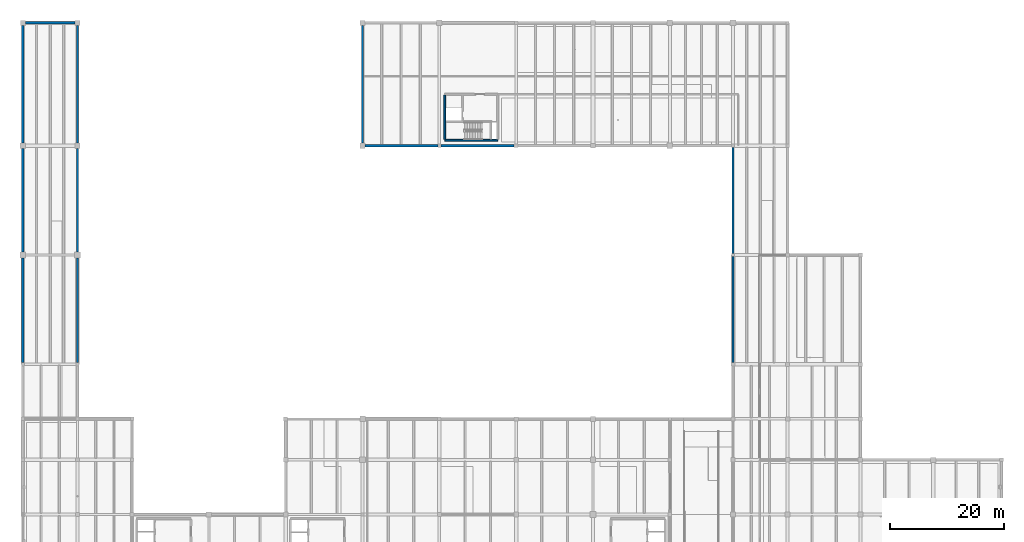
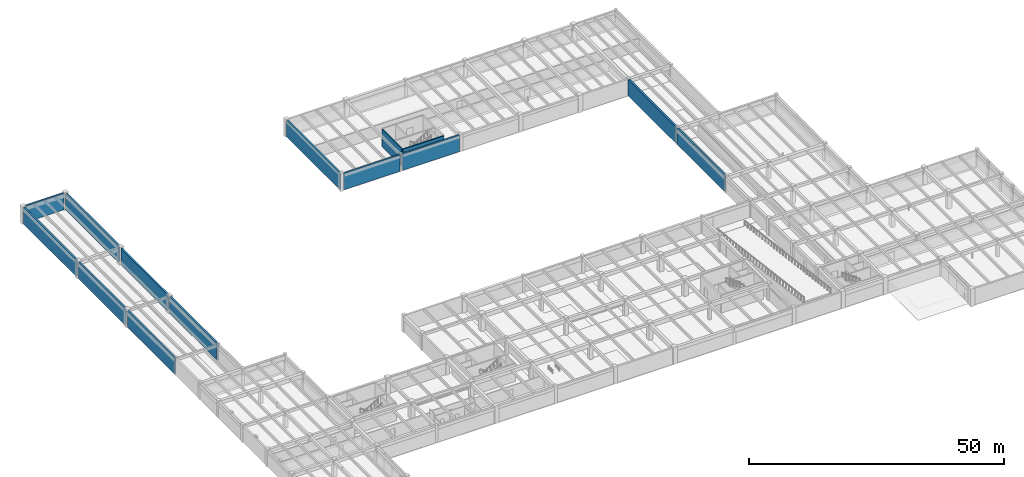
# One storey, part 12 of 28: 14 walls.
"""IFC4 building model written with IfcOpenShell, lengths in metres."""

import ifcopenshell
import ifcopenshell.guid

model = None  # the IFC model being written
_history = None  # IfcOwnerHistory: only IFC2X3 demands one
_inside = {}  # id of a spatial element -> (the spatial element, [elements in it])
_under = {}  # id of a project, library or spatial element -> (it, [spatial elements below it])
_declared = {}  # id of a project -> (the project, [libraries it declares])
_typed = {}  # id of a type object -> (the type object, [elements of that type])
_made_of = {}  # id of a material, layer set ... -> (it, [elements and type objects made of it])


def new_model(schema):
    """Start an empty IFC model of exactly this schema.

    Asked for "IFC4X3", IfcOpenShell would pick the latest addendum, in which some entities
    have other attributes; the version numbers below select the first issue.
    IFC2X3 requires an IfcOwnerHistory on every rooted entity: one is made here for all.
    """
    global model, _history
    if schema == "IFC4X3":
        model = ifcopenshell.file(schema_version=(4, 3, 0, 0))
    else:
        model = ifcopenshell.file(schema=schema)
    _inside.clear()
    _under.clear()
    _declared.clear()
    _typed.clear()
    _made_of.clear()
    _history = None
    if model.schema == "IFC2X3":
        org = make("IfcOrganization", Name="unknown")
        user = make(
            "IfcPersonAndOrganization",
            ThePerson=make("IfcPerson", FamilyName="unknown"),
            TheOrganization=org,
        )
        app = make(
            "IfcApplication",
            ApplicationDeveloper=org,
            Version="unknown",
            ApplicationFullName="unknown",
            ApplicationIdentifier="unknown",
        )
        _history = make(
            "IfcOwnerHistory",
            OwningUser=user,
            OwningApplication=app,
            ChangeAction="ADDED",
            CreationDate=0,
        )
    return model


def make(cls, **values):
    """One entity of the class cls with the attributes given. An attribute that is None is left unset."""
    return model.create_entity(
        cls, **{name: value for name, value in values.items() if value is not None}
    )


def rooted(cls, **values):
    """An entity with a GlobalId (a new one), such as an element, a storey or a relation."""
    return make(cls, GlobalId=ifcopenshell.guid.new(), OwnerHistory=_history, **values)


def si_unit(unit_type, name, prefix=None):
    """IfcSIUnit, for example si_unit("LENGTHUNIT", "METRE", prefix="MILLI")."""
    return make("IfcSIUnit", UnitType=unit_type, Prefix=prefix, Name=name)


def assignment(units):
    """IfcUnitAssignment: the units of a project."""
    return None if units is None else make("IfcUnitAssignment", Units=units)


def point(xyz):
    """IfcCartesianPoint."""
    return None if xyz is None else make("IfcCartesianPoint", Coordinates=xyz)


def direction(xyz):
    """IfcDirection."""
    return None if xyz is None else make("IfcDirection", DirectionRatios=xyz)


def frame(location, z_axis=None, x_axis=None):
    """IfcAxis2Placement3D, a coordinate frame: its origin and axes. An axis left out is left unset."""
    return make(
        "IfcAxis2Placement3D",
        Location=point(location),
        Axis=direction(z_axis),
        RefDirection=direction(x_axis),
    )


def frame_2d(location, x_axis=None):
    """IfcAxis2Placement2D, a coordinate frame in the plane: its origin and x axis."""
    return make(
        "IfcAxis2Placement2D", Location=point(location), RefDirection=direction(x_axis)
    )


def origin():
    """The frame at (0, 0, 0) with its axes left unset."""
    return frame((0.0, 0.0, 0.0))


def place(relative_to, where):
    """IfcLocalPlacement: puts the frame where relative to a parent placement (None: the world)."""
    return make(
        "IfcLocalPlacement", PlacementRelTo=relative_to, RelativePlacement=where
    )


def context(
    kind, dimensions, precision=None, world=None, true_north=None, identifier=None
):
    """IfcGeometricRepresentationContext, for example the 3D "Model" context."""
    return make(
        "IfcGeometricRepresentationContext",
        ContextIdentifier=identifier,
        ContextType=kind,
        CoordinateSpaceDimension=dimensions,
        Precision=precision,
        WorldCoordinateSystem=world,
        TrueNorth=true_north,
    )


def subcontext(parent, identifier, kind, view, scale=None):
    """IfcGeometricRepresentationSubContext, for example "Body" below "Model"."""
    return make(
        "IfcGeometricRepresentationSubContext",
        ContextIdentifier=identifier,
        ContextType=kind,
        ParentContext=parent,
        TargetScale=scale,
        TargetView=view,
    )


def project(units=None, contexts=None):
    """IfcProject with its units and contexts."""
    return rooted(
        "IfcProject",
        Name="project",
        RepresentationContexts=contexts,
        UnitsInContext=assignment(units),
    )


def spatial(cls, under=None, at=None, **own):
    """A site, building, storey or space (cls), placed at a placement, below another one or the project."""
    s = rooted(cls, ObjectPlacement=at, **own)
    if under is not None:
        _under.setdefault(under.id(), (under, []))[1].append(s)
    return s


def profile(cls, at=None, kind="AREA", **sizes):
    """A parametric profile (cls). Its sizes go by their IFC names, for example OverallWidth=200.0."""
    return make(cls, ProfileType=kind, Position=at, **sizes)


def rectangle(**sizes):
    """IfcRectangleProfileDef."""
    return profile("IfcRectangleProfileDef", **sizes)


def extrude(swept, where, along, depth):
    """IfcExtrudedAreaSolid: the profile swept, set in the frame where, extruded along a direction by depth."""
    return make(
        "IfcExtrudedAreaSolid",
        SweptArea=swept,
        Position=where,
        ExtrudedDirection=direction(along),
        Depth=depth,
    )


def shape(context_of_items, identifier, shape_type, items):
    """IfcShapeRepresentation: the items that make up one representation, for example the "Body"."""
    return make(
        "IfcShapeRepresentation",
        ContextOfItems=context_of_items,
        RepresentationIdentifier=identifier,
        RepresentationType=shape_type,
        Items=items,
    )


def material(Name=None, Category=None):
    """IfcMaterial."""
    return make("IfcMaterial", Name=Name, Category=Category)


def layer(
    of_material, thickness, ventilated=None, Name=None, Category=None, Priority=None
):
    """IfcMaterialLayer: one layer of a wall or slab, of a material (None: an air gap)."""
    return make(
        "IfcMaterialLayer",
        Material=of_material,
        LayerThickness=thickness,
        IsVentilated=ventilated,
        Name=Name,
        Category=Category,
        Priority=Priority,
    )


def layer_set(layers, Name=None):
    """IfcMaterialLayerSet."""
    return make("IfcMaterialLayerSet", MaterialLayers=layers, LayerSetName=Name)


def made_of(thing, what):
    """Note that an element or type object is made of a material, layer set ...; save() writes the relation."""
    if what is not None:
        _made_of.setdefault(what.id(), (what, []))[1].append(thing)
    return thing


def type_object(cls, material=None, **own):
    """A type object (cls), such as IfcWallType, which elements share."""
    return made_of(rooted(cls, **own), material)


def element(
    cls,
    number,
    at=None,
    inside=None,
    cuts=None,
    type_object=None,
    material=None,
    context=None,
    identifier="Body",
    shape_type=None,
    held_by="IfcProductDefinitionShape",
    body=None,
    shapes=None,
    **own,
):
    """One element of the class cls, such as IfcWall. Its Tag is "e" and its number.

    at: its placement. inside: the storey or other place that contains it. cuts: it is an
    opening in that element (IfcRelVoidsElement). A single representation is given by context,
    identifier, shape_type and body (its items); several are given by shapes. held_by: the class
    of the entity that holds the representations. save() writes the other relations.
    """
    e = rooted(cls, Tag="e%d" % number, ObjectPlacement=at, **own)
    if body is not None:
        shapes = [shape(context, identifier, shape_type, body)]
    if shapes is not None:
        e.Representation = make(held_by, Representations=shapes)
    if inside is not None:
        _inside.setdefault(inside.id(), (inside, []))[1].append(e)
    if cuts is not None:
        rooted(
            "IfcRelVoidsElement", RelatingBuildingElement=cuts, RelatedOpeningElement=e
        )
    if type_object is not None:
        _typed.setdefault(type_object.id(), (type_object, []))[1].append(e)
    return made_of(e, material)


def aggregate(whole, parts):
    """IfcRelAggregates: a whole, such as a stair, and the parts it consists of."""
    return rooted("IfcRelAggregates", RelatingObject=whole, RelatedObjects=parts)


def save(model, path):
    """Write the relations noted so far, then the file.

    IfcRelAggregates (storeys below a building ...), IfcRelContainedInSpatialStructure (elements
    in a storey), IfcRelDefinesByType, IfcRelAssociatesMaterial and IfcRelDeclares: one each for
    every whole, place, type object, material and project.
    """
    for whole, parts in _under.values():
        aggregate(whole, parts)
    for where, things in _inside.values():
        rooted(
            "IfcRelContainedInSpatialStructure",
            RelatedElements=things,
            RelatingStructure=where,
        )
    for kind, things in _typed.values():
        rooted("IfcRelDefinesByType", RelatedObjects=things, RelatingType=kind)
    for what, things in _made_of.values():
        rooted("IfcRelAssociatesMaterial", RelatedObjects=things, RelatingMaterial=what)
    for by, libraries in _declared.values():
        rooted("IfcRelDeclares", RelatingContext=by, RelatedDefinitions=libraries)
    model.write(path)


model = new_model("IFC4")

# Units and contexts
model_context = context("Model", 3, precision=1e-05, world=origin(), true_north=direction((0.0, 1.0)))
body_context = subcontext(model_context, "Body", "Model", "MODEL_VIEW")
ifc_project = project(units=[si_unit("LENGTHUNIT", "METRE"), si_unit("AREAUNIT", "SQUARE_METRE"), si_unit("VOLUMEUNIT", "CUBIC_METRE"), si_unit("PLANEANGLEUNIT", "RADIAN"), si_unit("MASSUNIT", "GRAM", prefix="KILO")], contexts=[model_context])

# Site, building, storey
site_placement = place(None, origin())
site = spatial("IfcSite", under=ifc_project, at=site_placement, CompositionType="ELEMENT")
building_placement = place(site_placement, origin())
building = spatial("IfcBuilding", under=site, at=building_placement, Name="Fikremerkos Civic Library", CompositionType="ELEMENT")
storey_placement = place(building_placement, frame((0.0, 0.0, -4.199951171875)))
storey = spatial("IfcBuildingStorey", under=building, at=storey_placement, Name="B01", CompositionType="ELEMENT", Elevation=-4.199951171875)

# Walls
ifc_material = material(Name="Concrete C40/50", Category="concrete")
ifc_layer_1 = layer(ifc_material, 0.39990234375, Name="Concrete C40/50")
ifc_layer_set_1 = layer_set([ifc_layer_1], Name="Concrete C40/50")
wall_type_1 = type_object("IfcWallType", Name="Basement retaining wall BRW-02 400", PredefinedType="USERDEFINED", material=ifc_layer_set_1)
wall_1_placement = place(storey_placement, frame((0.0, 57.873046875, 0.0), z_axis=(0.0, 0.0, 1.0), x_axis=(0.0, 1.0, 0.0)))
element("IfcWall", 1, at=wall_1_placement, inside=storey, type_object=wall_type_1, Name="Basement retaining wall BRW-02 B01 #94", ObjectType="RETAINING WALL", PredefinedType="USERDEFINED", context=body_context, shape_type="SweptSolid", body=[
    extrude(rectangle(XDim=18.428955078125, YDim=0.39990234375, at=frame_2d((9.21435546875, 0.0))), origin(), (0.0, 0.0, 1.0), 3.919921875),
])
wall_2_placement = place(storey_placement, frame((0.0, 77.298095703125, 0.0), z_axis=(0.0, 0.0, 1.0), x_axis=(0.0, 1.0, 0.0)))
element("IfcWall", 2, at=wall_2_placement, inside=storey, type_object=wall_type_1, Name="Basement retaining wall BRW-02 B01 #95", ObjectType="RETAINING WALL", PredefinedType="USERDEFINED", context=body_context, shape_type="SweptSolid", body=[
    extrude(rectangle(XDim=18.22900390625, YDim=0.39990234375, at=frame_2d((9.114501953125, 0.0))), origin(), (0.0, 0.0, 1.0), 3.919921875),
])
wall_3_placement = place(storey_placement, frame((0.0, 96.472900390625, 0.0), z_axis=(0.0, 0.0, 1.0), x_axis=(0.0, 1.0, 0.0)))
element("IfcWall", 3, at=wall_3_placement, inside=storey, type_object=wall_type_1, Name="Basement retaining wall BRW-02 B01 #96", ObjectType="RETAINING WALL", PredefinedType="USERDEFINED", context=body_context, shape_type="SweptSolid", body=[
    extrude(rectangle(XDim=20.67919921875, YDim=0.39990234375, at=frame_2d((10.339599609375, 0.0))), origin(), (0.0, 0.0, 1.0), 3.919921875),
])
wall_4_placement = place(storey_placement, frame((0.447998046875, 117.60009765625, 0.0), z_axis=(0.0, 0.0, 1.0), x_axis=(1.0, 0.0, 0.0)))
element("IfcWall", 4, at=wall_4_placement, inside=storey, type_object=wall_type_1, Name="Basement retaining wall BRW-02 B01 #97", ObjectType="RETAINING WALL", PredefinedType="USERDEFINED", context=body_context, shape_type="SweptSolid", body=[
    extrude(rectangle(XDim=8.7041015625, YDim=0.39990234375, at=frame_2d((4.35205078125, 0.0))), origin(), (0.0, 0.0, 1.0), 3.919921875),
])
wall_5_placement = place(storey_placement, frame((9.60009765625, 117.152099609375, 0.0), z_axis=(0.0, 0.0, 1.0), x_axis=(0.0, -1.0, 0.0)))
element("IfcWall", 5, at=wall_5_placement, inside=storey, type_object=wall_type_1, Name="Basement retaining wall BRW-02 B01 #98", ObjectType="RETAINING WALL", PredefinedType="USERDEFINED", context=body_context, shape_type="SweptSolid", body=[
    extrude(rectangle(XDim=20.67919921875, YDim=0.39990234375, at=frame_2d((10.339599609375, 0.0))), origin(), (0.0, 0.0, 1.0), 3.919921875),
])
wall_6_placement = place(storey_placement, frame((9.60009765625, 95.527099609375, 0.0), z_axis=(0.0, 0.0, 1.0), x_axis=(0.0, -1.0, 0.0)))
element("IfcWall", 6, at=wall_6_placement, inside=storey, type_object=wall_type_1, Name="Basement retaining wall BRW-02 B01 #99", ObjectType="RETAINING WALL", PredefinedType="USERDEFINED", context=body_context, shape_type="SweptSolid", body=[
    extrude(rectangle(XDim=18.22900390625, YDim=0.39990234375, at=frame_2d((9.114501953125, 0.0))), origin(), (0.0, 0.0, 1.0), 3.919921875),
])
wall_7_placement = place(storey_placement, frame((9.60009765625, 76.302001953125, 0.0), z_axis=(0.0, 0.0, 1.0), x_axis=(0.0, -1.0, 0.0)))
element("IfcWall", 7, at=wall_7_placement, inside=storey, type_object=wall_type_1, Name="Basement retaining wall BRW-02 B01 #100", ObjectType="RETAINING WALL", PredefinedType="USERDEFINED", context=body_context, shape_type="SweptSolid", body=[
    extrude(rectangle(XDim=18.428955078125, YDim=0.39990234375, at=frame_2d((9.21435546875, 0.0))), origin(), (0.0, 0.0, 1.0), 3.919921875),
])
wall_8_placement = place(storey_placement, frame((124.800048828125, 57.923095703125, 0.0), z_axis=(0.0, 0.0, 1.0), x_axis=(0.0, 1.0, 0.0)))
element("IfcWall", 8, at=wall_8_placement, inside=storey, type_object=wall_type_1, Name="Basement retaining wall BRW-02 B01 #117", ObjectType="RETAINING WALL", PredefinedType="USERDEFINED", context=body_context, shape_type="SweptSolid", body=[
    extrude(rectangle(XDim=18.578857421875, YDim=0.39990234375, at=frame_2d((9.28955078125, 0.0))), origin(), (0.0, 0.0, 1.0), 3.919921875),
])
wall_9_placement = place(storey_placement, frame((124.800048828125, 77.097900390625, 0.0), z_axis=(0.0, 0.0, 1.0), x_axis=(0.0, 1.0, 0.0)))
element("IfcWall", 9, at=wall_9_placement, inside=storey, type_object=wall_type_1, Name="Basement retaining wall BRW-02 B01 #118", ObjectType="RETAINING WALL", PredefinedType="USERDEFINED", context=body_context, shape_type="SweptSolid", body=[
    extrude(rectangle(XDim=18.629150390625, YDim=0.39990234375, at=frame_2d((9.314453125, 0.0))), origin(), (0.0, 0.0, 1.0), 3.93994140625),
])
wall_10_placement = place(storey_placement, frame((86.35205078125, 96.0, 0.0), z_axis=(0.0, 0.0, 1.0), x_axis=(-1.0, 0.0, 0.0)))
element("IfcWall", 10, at=wall_10_placement, inside=storey, type_object=wall_type_1, Name="Basement retaining wall BRW-02 B01 #122", ObjectType="RETAINING WALL", PredefinedType="USERDEFINED", context=body_context, shape_type="SweptSolid", body=[
    extrude(rectangle(XDim=12.879150390625, YDim=0.39990234375, at=frame_2d((6.439453125, 0.0))), origin(), (0.0, 0.0, 1.0), 3.919921875),
])
wall_11_placement = place(storey_placement, frame((72.927001953125, 96.0, 0.0), z_axis=(0.0, 0.0, 1.0), x_axis=(-1.0, 0.0, 0.0)))
element("IfcWall", 11, at=wall_11_placement, inside=storey, type_object=wall_type_1, Name="Basement retaining wall BRW-02 B01 #123", ObjectType="RETAINING WALL", PredefinedType="USERDEFINED", context=body_context, shape_type="SweptSolid", body=[
    extrude(rectangle(XDim=12.779052734375, YDim=0.39990234375, at=frame_2d((6.3896484375, 0.0))), origin(), (0.0, 0.0, 1.0), 3.919921875),
])
wall_12_placement = place(storey_placement, frame((59.699951171875, 96.447998046875, 0.0), z_axis=(0.0, 0.0, 1.0), x_axis=(0.0, 1.0, 0.0)))
element("IfcWall", 12, at=wall_12_placement, inside=storey, type_object=wall_type_1, Name="Basement retaining wall BRW-02 B01 #124", ObjectType="RETAINING WALL", PredefinedType="USERDEFINED", context=body_context, shape_type="SweptSolid", body=[
    extrude(rectangle(XDim=20.72900390625, YDim=0.39990234375, at=frame_2d((10.364501953125, 0.0))), origin(), (0.0, 0.0, 1.0), 3.919921875),
])
ifc_layer_2 = layer(ifc_material, 0.300048828125, Name="Concrete C40/50")
ifc_layer_set_2 = layer_set([ifc_layer_2], Name="Concrete C40/50")
wall_type_2 = type_object("IfcWallType", Name="Core shear wall CSW-01 300", PredefinedType="SHEAR", material=ifc_layer_set_2)
wall_13_placement = place(storey_placement, frame((83.449951171875, 96.949951171875, 0.0), z_axis=(0.0, 0.0, 1.0), x_axis=(-1.0, 0.0, 0.0)))
element("IfcWall", 13, at=wall_13_placement, inside=storey, type_object=wall_type_2, Name="Core K5 south shear wall B01", PredefinedType="SHEAR", context=body_context, shape_type="SweptSolid", body=[
    extrude(rectangle(XDim=9.300048828125, YDim=0.300048828125, at=frame_2d((4.64990234375, 0.0))), origin(), (0.0, 0.0, 1.0), 4.199951171875),
])
wall_14_placement = place(storey_placement, frame((74.14990234375, 97.10205078125, 0.0), z_axis=(0.0, 0.0, 1.0), x_axis=(0.0, 1.0, 0.0)))
element("IfcWall", 14, at=wall_14_placement, inside=storey, type_object=wall_type_2, Name="Core K5 west shear wall B01", PredefinedType="SHEAR", context=body_context, shape_type="SweptSolid", body=[
    extrude(rectangle(XDim=7.7958984375, YDim=0.300048828125, at=frame_2d((3.89794921875, 0.0))), origin(), (0.0, 0.0, 1.0), 4.199951171875),
])

save(model, "model.ifc")
